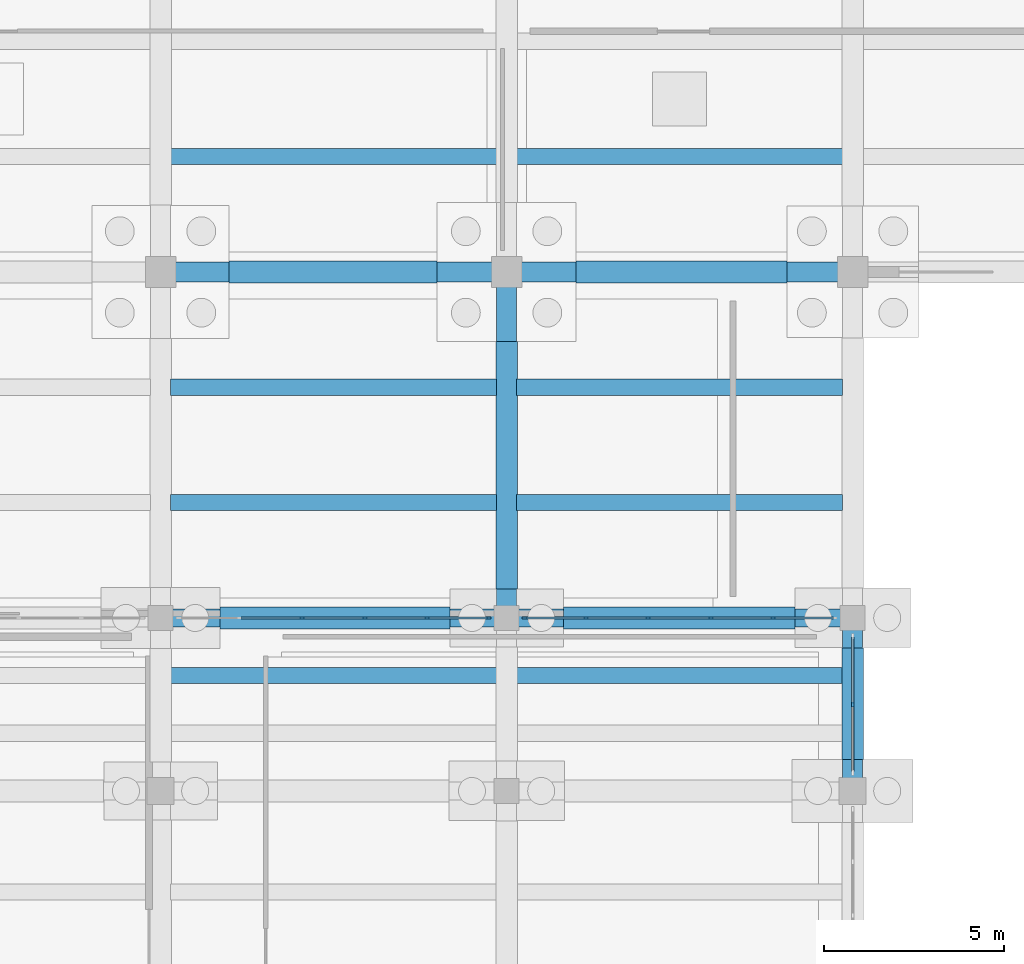
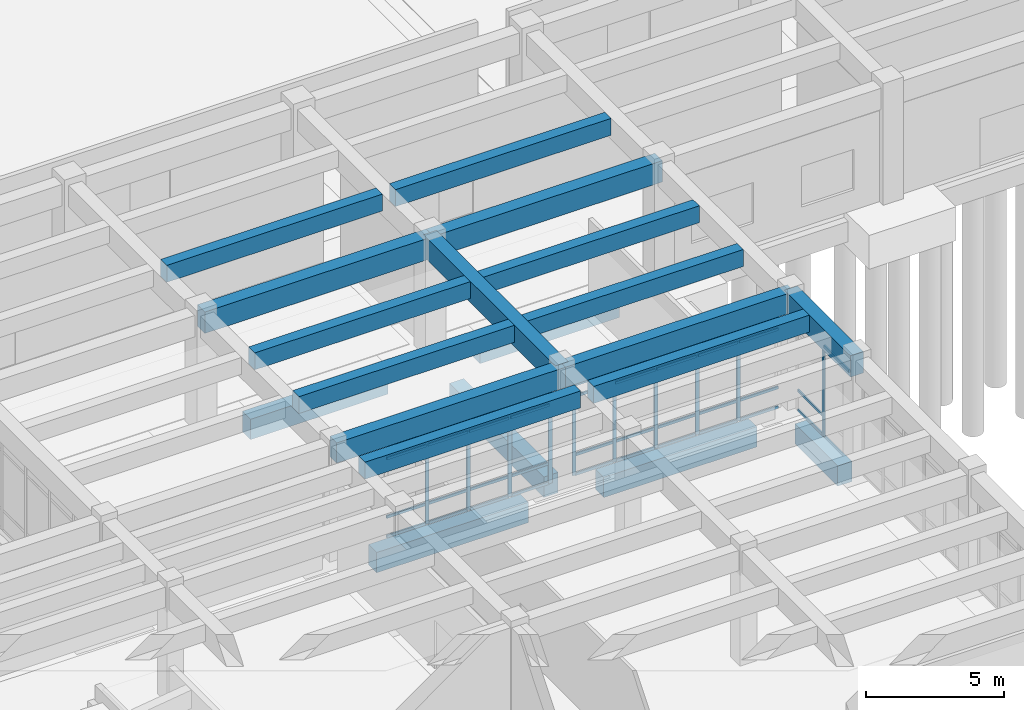
# One storey, part 32 of 102: 49 members, 20 beams, 3 elements without a shape of their own.
"""IFC4 building model written with IfcOpenShell, lengths in metres."""

from ifc_helpers import new_model, si_unit, direction, frame, origin, origin_2d, place, context, subcontext, project, spatial, rectangle, extrude, material, layer, layer_set, material_profile, profile_set, type_object, element, aggregate, save


model = new_model("IFC4")

# Units and contexts
model_context = context("Model", 3, precision=1e-05, world=origin(), true_north=direction((0.0, 1.0)))
body_context = subcontext(model_context, "Body", "Model", "MODEL_VIEW")
ifc_project = project(units=[si_unit("LENGTHUNIT", "METRE"), si_unit("AREAUNIT", "SQUARE_METRE"), si_unit("VOLUMEUNIT", "CUBIC_METRE"), si_unit("PLANEANGLEUNIT", "RADIAN"), si_unit("MASSUNIT", "GRAM", prefix="KILO")], contexts=[model_context])

# Site, building, storey
site_placement = place(None, origin())
site = spatial("IfcSite", under=ifc_project, at=site_placement, CompositionType="ELEMENT")
building_placement = place(site_placement, origin())
building = spatial("IfcBuilding", under=site, at=building_placement, Name="Kolvemor Railside Polytechnic", CompositionType="ELEMENT")
storey_placement = place(building_placement, origin())
storey = spatial("IfcBuildingStorey", under=building, at=storey_placement, Name="L00", CompositionType="ELEMENT", Elevation=0.0)

# Beams
ifc_material_1 = material(Name="Concrete C40/50", Category="concrete")
ifc_material_profile_1 = material_profile(ifc_material_1, rectangle(XDim=0.550048828125, YDim=0.949951171875, at=origin_2d()), Name="RC550x950")
ifc_profile_set_1 = profile_set([ifc_material_profile_1], Name="Concrete C40/50")
beam_type_1 = type_object("IfcBeamType", Name="BM-RC-GIRD", PredefinedType="BEAM", material=ifc_profile_set_1)
beam_1_placement = place(storey_placement, frame((48.0, 76.800048828125, 4.635009765625), z_axis=(0.0, 1.0, 0.0), x_axis=(-1.0, 0.0, 0.0)))
element("IfcBeam", 1, at=beam_1_placement, inside=storey, type_object=beam_type_1, Name="Primary Girder L01-GY 0104", PredefinedType="BEAM", context=body_context, shape_type="SweptSolid", body=[
    extrude(rectangle(XDim=0.550048828125, YDim=0.949951171875, at=origin_2d()), origin(), (0.0, 0.0, 1.0), 4.800048828125),
])
beam_2_placement = place(storey_placement, frame((28.800048828125, 91.199951171875, 4.635009765625), z_axis=(1.0, 0.0, 0.0), x_axis=(0.0, 1.0, 0.0)))
element("IfcBeam", 2, at=beam_2_placement, inside=storey, type_object=beam_type_1, Name="Primary Girder L01-GX 0492", PredefinedType="BEAM", context=body_context, shape_type="SweptSolid", body=[
    extrude(rectangle(XDim=0.550048828125, YDim=0.949951171875, at=origin_2d()), origin(), (0.0, 0.0, 1.0), 9.599853515625),
])
beam_3_placement = place(storey_placement, frame((38.39990234375, 91.199951171875, 4.635009765625), z_axis=(1.0, 0.0, 0.0), x_axis=(0.0, 1.0, 0.0)))
element("IfcBeam", 3, at=beam_3_placement, inside=storey, type_object=beam_type_1, Name="Primary Girder L01-GX 0493", PredefinedType="BEAM", context=body_context, shape_type="SweptSolid", body=[
    extrude(rectangle(XDim=0.550048828125, YDim=0.949951171875, at=origin_2d()), origin(), (0.0, 0.0, 1.0), 9.60009765625),
])
beam_4_placement = place(storey_placement, frame((38.39990234375, 81.60009765625, 4.635009765625), z_axis=(0.0, 1.0, 0.0), x_axis=(-1.0, 0.0, 0.0)))
element("IfcBeam", 4, at=beam_4_placement, inside=storey, type_object=beam_type_1, Name="Primary Girder L01-GY 1050", PredefinedType="BEAM", context=body_context, shape_type="SweptSolid", body=[
    extrude(rectangle(XDim=0.550048828125, YDim=0.949951171875, at=origin_2d()), origin(), (0.0, 0.0, 1.0), 9.599853515625),
])
ifc_material_2 = material(Name="Concrete C40/50", Category="concrete")
ifc_material_profile_2 = material_profile(ifc_material_2, rectangle(XDim=0.5, YDim=0.89990234375, at=origin_2d()), Name="RC500x900")
ifc_profile_set_2 = profile_set([ifc_material_profile_2], Name="Concrete C40/50")
beam_type_2 = type_object("IfcBeamType", Name="BM-RC-GIRD4", PredefinedType="BEAM", material=ifc_profile_set_2)
beam_5_placement = place(storey_placement, frame((28.800048828125, 81.60009765625, 4.659912109375), z_axis=(1.0, 0.0, 0.0), x_axis=(0.0, 1.0, 0.0)))
element("IfcBeam", 5, at=beam_5_placement, inside=storey, type_object=beam_type_2, Name="Primary Girder L01-GX 0049", PredefinedType="BEAM", context=body_context, shape_type="SweptSolid", body=[
    extrude(rectangle(XDim=0.5, YDim=0.89990234375, at=origin_2d()), origin(), (0.0, 0.0, 1.0), 9.599853515625),
])
beam_6_placement = place(storey_placement, frame((38.39990234375, 81.60009765625, 4.659912109375), z_axis=(1.0, 0.0, 0.0), x_axis=(0.0, 1.0, 0.0)))
element("IfcBeam", 6, at=beam_6_placement, inside=storey, type_object=beam_type_2, Name="Primary Girder L01-GX 0050", PredefinedType="BEAM", context=body_context, shape_type="SweptSolid", body=[
    extrude(rectangle(XDim=0.5, YDim=0.89990234375, at=origin_2d()), origin(), (0.0, 0.0, 1.0), 9.60009765625),
])
ifc_material_3 = material(Name="Concrete C40/50", Category="concrete")
ifc_material_profile_3 = material_profile(ifc_material_3, rectangle(XDim=0.449951171875, YDim=0.75, at=origin_2d()), Name="RC450x750")
ifc_profile_set_3 = profile_set([ifc_material_profile_3], Name="Concrete C40/50")
beam_type_3 = type_object("IfcBeamType", Name="BM-RC-SEC", PredefinedType="JOIST", material=ifc_profile_set_3)
for number, where, z_axis, x_axis, name in (
    (7, (29.074951171875, 80.0, 4.735107421875), (1.0, 0.0, 0.0), (0.0, 1.0, 0.0), "Floor Joist L01-J0172"),
    (8, (38.675048828125, 80.0, 4.735107421875), (1.0, 0.0, 0.0), (0.0, 1.0, 0.0), "Floor Joist L01-J0190"),
    (9, (29.074951171875, 94.39990234375, 4.735107421875), (1.0, 0.0, 0.0), (0.0, 1.0, 0.0), "Floor Joist L01-J0536"),
    (10, (38.675048828125, 94.39990234375, 4.735107421875), (1.0, 0.0, 0.0), (0.0, 1.0, 0.0), "Floor Joist L01-J0538"),
    (11, (29.074951171875, 84.800048828125, 4.735107421875), (1.0, 0.0, 0.0), (0.0, 1.0, 0.0), "Floor Joist L01-J1054"),
    (12, (29.074951171875, 88.0, 4.735107421875), (1.0, 0.0, 0.0), (0.0, 1.0, 0.0), "Floor Joist L01-J1055"),
    (13, (38.675048828125, 84.800048828125, 4.735107421875), (1.0, 0.0, 0.0), (0.0, 1.0, 0.0), "Floor Joist L01-J1056"),
    (14, (38.675048828125, 88.0, 4.735107421875), (1.0, 0.0, 0.0), (0.0, 1.0, 0.0), "Floor Joist L01-J1057"),
):
    element("IfcBeam", number, at=place(storey_placement, frame(where, z_axis=z_axis, x_axis=x_axis)), inside=storey, type_object=beam_type_3, Name=name, PredefinedType="JOIST", context=body_context, shape_type="SweptSolid", body=[
        extrude(rectangle(XDim=0.449951171875, YDim=0.75, at=origin_2d()), origin(), (0.0, 0.0, 1.0), 9.050048828125),
    ])
ifc_material_4 = material(Name="Concrete C40/50", Category="concrete")
ifc_material_profile_4 = material_profile(ifc_material_4, rectangle(XDim=0.60009765625, YDim=0.89990234375, at=origin_2d()), Name="RC600x900")
ifc_profile_set_4 = profile_set([ifc_material_profile_4], Name="Concrete C40/50")
beam_type_4 = type_object("IfcBeamType", Name="BM-RC-TIE", PredefinedType="BEAM", material=ifc_profile_set_4)
beam_7_placement = place(storey_placement, frame((30.451904296875, 81.60009765625, -0.75), z_axis=(1.0, 0.0, 0.0), x_axis=(0.0, 1.0, 0.0)))
element("IfcBeam", 15, at=beam_7_placement, inside=storey, type_object=beam_type_4, Name="Ground Tie Beam GTB-X178", PredefinedType="BEAM", context=body_context, shape_type="SweptSolid", body=[
    extrude(rectangle(XDim=0.60009765625, YDim=0.89990234375, at=origin_2d()), origin(), (0.0, 0.0, 1.0), 6.37109375),
])
beam_8_placement = place(storey_placement, frame((39.97705078125, 81.60009765625, -0.75), z_axis=(1.0, 0.0, 0.0), x_axis=(0.0, 1.0, 0.0)))
element("IfcBeam", 16, at=beam_8_placement, inside=storey, type_object=beam_type_4, Name="Ground Tie Beam GTB-X179", PredefinedType="BEAM", context=body_context, shape_type="SweptSolid", body=[
    extrude(rectangle(XDim=0.60009765625, YDim=0.89990234375, at=origin_2d()), origin(), (0.0, 0.0, 1.0), 6.4208984375),
])
beam_9_placement = place(storey_placement, frame((30.701904296875, 91.199951171875, -0.75), z_axis=(1.0, 0.0, 0.0), x_axis=(0.0, 1.0, 0.0)))
element("IfcBeam", 17, at=beam_9_placement, inside=storey, type_object=beam_type_4, Name="Ground Tie Beam GTB-X186", PredefinedType="BEAM", context=body_context, shape_type="SweptSolid", body=[
    extrude(rectangle(XDim=0.60009765625, YDim=0.89990234375, at=origin_2d()), origin(), (0.0, 0.0, 1.0), 5.77099609375),
])
beam_10_placement = place(storey_placement, frame((40.326904296875, 91.199951171875, -0.75), z_axis=(1.0, 0.0, 0.0), x_axis=(0.0, 1.0, 0.0)))
element("IfcBeam", 18, at=beam_10_placement, inside=storey, type_object=beam_type_4, Name="Ground Tie Beam GTB-X187", PredefinedType="BEAM", context=body_context, shape_type="SweptSolid", body=[
    extrude(rectangle(XDim=0.60009765625, YDim=0.89990234375, at=origin_2d()), origin(), (0.0, 0.0, 1.0), 5.84619140625),
])
beam_11_placement = place(storey_placement, frame((38.39990234375, 82.402099609375, -0.75), z_axis=(0.0, 1.0, 0.0), x_axis=(-1.0, 0.0, 0.0)))
element("IfcBeam", 19, at=beam_11_placement, inside=storey, type_object=beam_type_4, Name="Ground Tie Beam GTB-Y284", PredefinedType="BEAM", context=body_context, shape_type="SweptSolid", body=[
    extrude(rectangle(XDim=0.60009765625, YDim=0.89990234375, at=origin_2d()), origin(), (0.0, 0.0, 1.0), 6.870849609375),
])
beam_12_placement = place(storey_placement, frame((48.0, 77.677001953125, -0.75), z_axis=(0.0, 1.0, 0.0), x_axis=(-1.0, 0.0, 0.0)))
element("IfcBeam", 20, at=beam_12_placement, inside=storey, type_object=beam_type_4, Name="Ground Tie Beam GTB-Y296", PredefinedType="BEAM", context=body_context, shape_type="SweptSolid", body=[
    extrude(rectangle(XDim=0.60009765625, YDim=0.89990234375, at=origin_2d()), origin(), (0.0, 0.0, 1.0), 3.095947265625),
])

# Curtain wall, members
ifc_material_5 = material(Name="Anodised marine aluminium and laminated low-E glass", Category="aluminium")
ifc_layer = layer(ifc_material_5, 0.179931640625, Name="CW-UNIT-STD")
ifc_layer_set = layer_set([ifc_layer], Name="Anodised marine aluminium and laminated low-E glass")
curtain_wall_type = type_object("IfcCurtainWallType", Name="CW-UNIT-STD", PredefinedType="USERDEFINED", material=ifc_layer_set)
curtain_wall_1_placement = place(storey_placement, origin())
curtain_wall_1 = element("IfcCurtainWall", 21, at=curtain_wall_1_placement, inside=storey, type_object=curtain_wall_type, Name="Curtain Wall L00-029", ObjectType="UNITISED CURTAIN WALL", PredefinedType="USERDEFINED")
ifc_material_6 = material(Name="Anodised marine aluminium 6063-T6", Category="aluminium")
ifc_material_profile_5 = material_profile(ifc_material_6, rectangle(XDim=0.06494140625, YDim=0.14990234375, at=origin_2d()), Name="CW-MUL-65x150")
ifc_profile_set_5 = profile_set([ifc_material_profile_5], Name="Anodised marine aluminium 6063-T6")
member_type_1 = type_object("IfcMemberType", Name="CWM-65x150", PredefinedType="MULLION", material=ifc_profile_set_5)
member_1_placement = place(storey_placement, frame((37.8974609375, 81.60009765625, 0.0), z_axis=(0.0, 0.0, 1.0), x_axis=(0.0, -1.0, 0.0)))
member_1 = element("IfcMember", 22, at=member_1_placement, type_object=member_type_1, Name="CW-STD mullion 1", PredefinedType="MULLION", context=body_context, shape_type="SweptSolid", body=[
    extrude(rectangle(XDim=0.06494140625, YDim=0.14990234375, at=origin_2d()), origin(), (0.0, 0.0, 1.0), 4.0400390625),
])
member_2_placement = place(storey_placement, frame((36.197998046875, 81.60009765625, 0.0), z_axis=(0.0, 0.0, 1.0), x_axis=(0.0, -1.0, 0.0)))
member_2 = element("IfcMember", 23, at=member_2_placement, type_object=member_type_1, Name="CW-STD mullion 2", PredefinedType="MULLION", context=body_context, shape_type="SweptSolid", body=[
    extrude(rectangle(XDim=0.06494140625, YDim=0.14990234375, at=origin_2d()), origin(), (0.0, 0.0, 1.0), 4.0400390625),
])
member_3_placement = place(storey_placement, frame((34.466064453125, 81.60009765625, 0.0), z_axis=(0.0, 0.0, 1.0), x_axis=(0.0, -1.0, 0.0)))
member_3 = element("IfcMember", 24, at=member_3_placement, type_object=member_type_1, Name="CW-STD mullion 3", PredefinedType="MULLION", context=body_context, shape_type="SweptSolid", body=[
    extrude(rectangle(XDim=0.06494140625, YDim=0.14990234375, at=origin_2d()), origin(), (0.0, 0.0, 1.0), 4.0400390625),
])
member_4_placement = place(storey_placement, frame((32.73388671875, 81.60009765625, 0.0), z_axis=(0.0, 0.0, 1.0), x_axis=(0.0, -1.0, 0.0)))
member_4 = element("IfcMember", 25, at=member_4_placement, type_object=member_type_1, Name="CW-STD mullion 4", PredefinedType="MULLION", context=body_context, shape_type="SweptSolid", body=[
    extrude(rectangle(XDim=0.06494140625, YDim=0.14990234375, at=origin_2d()), origin(), (0.0, 0.0, 1.0), 4.0400390625),
])

curtain_wall_2_placement = place(storey_placement, origin())
curtain_wall_2 = element("IfcCurtainWall", 26, at=curtain_wall_2_placement, inside=storey, type_object=curtain_wall_type, Name="Curtain Wall L00-030", ObjectType="UNITISED CURTAIN WALL", PredefinedType="USERDEFINED")
member_5_placement = place(storey_placement, frame((45.798095703125, 81.60009765625, 0.0), z_axis=(0.0, 0.0, 1.0), x_axis=(0.0, -1.0, 0.0)))
member_5 = element("IfcMember", 27, at=member_5_placement, type_object=member_type_1, Name="CW-STD mullion 2", PredefinedType="MULLION", context=body_context, shape_type="SweptSolid", body=[
    extrude(rectangle(XDim=0.06494140625, YDim=0.14990234375, at=origin_2d()), origin(), (0.0, 0.0, 1.0), 4.0400390625),
])
member_6_placement = place(storey_placement, frame((44.06591796875, 81.60009765625, 0.0), z_axis=(0.0, 0.0, 1.0), x_axis=(0.0, -1.0, 0.0)))
member_6 = element("IfcMember", 28, at=member_6_placement, type_object=member_type_1, Name="CW-STD mullion 3", PredefinedType="MULLION", context=body_context, shape_type="SweptSolid", body=[
    extrude(rectangle(XDim=0.06494140625, YDim=0.14990234375, at=origin_2d()), origin(), (0.0, 0.0, 1.0), 4.0400390625),
])
member_7_placement = place(storey_placement, frame((42.333984375, 81.60009765625, 0.0), z_axis=(0.0, 0.0, 1.0), x_axis=(0.0, -1.0, 0.0)))
member_7 = element("IfcMember", 29, at=member_7_placement, type_object=member_type_1, Name="CW-STD mullion 4", PredefinedType="MULLION", context=body_context, shape_type="SweptSolid", body=[
    extrude(rectangle(XDim=0.06494140625, YDim=0.14990234375, at=origin_2d()), origin(), (0.0, 0.0, 1.0), 4.0400390625),
])
member_8_placement = place(storey_placement, frame((40.60205078125, 81.60009765625, 0.0), z_axis=(0.0, 0.0, 1.0), x_axis=(0.0, -1.0, 0.0)))
member_8 = element("IfcMember", 30, at=member_8_placement, type_object=member_type_1, Name="CW-STD mullion 5", PredefinedType="MULLION", context=body_context, shape_type="SweptSolid", body=[
    extrude(rectangle(XDim=0.06494140625, YDim=0.14990234375, at=origin_2d()), origin(), (0.0, 0.0, 1.0), 4.0400390625),
])
member_9_placement = place(storey_placement, frame((38.902587890625, 81.60009765625, 0.0), z_axis=(0.0, 0.0, 1.0), x_axis=(0.0, -1.0, 0.0)))
member_9 = element("IfcMember", 31, at=member_9_placement, type_object=member_type_1, Name="CW-STD mullion 6", PredefinedType="MULLION", context=body_context, shape_type="SweptSolid", body=[
    extrude(rectangle(XDim=0.06494140625, YDim=0.14990234375, at=origin_2d()), origin(), (0.0, 0.0, 1.0), 4.0400390625),
])

# Curtain wall, member
curtain_wall_3_placement = place(storey_placement, origin())
curtain_wall_3 = element("IfcCurtainWall", 32, at=curtain_wall_3_placement, inside=storey, type_object=curtain_wall_type, Name="Curtain Wall L00-089", ObjectType="UNITISED CURTAIN WALL", PredefinedType="USERDEFINED")
member_10_placement = place(storey_placement, frame((48.0, 79.199951171875, 0.0), z_axis=(0.0, 0.0, 1.0), x_axis=(-1.0, 0.0, 0.0)))
member_10 = element("IfcMember", 33, at=member_10_placement, type_object=member_type_1, Name="CW-STD mullion 2", PredefinedType="MULLION", context=body_context, shape_type="SweptSolid", body=[
    extrude(rectangle(XDim=0.06494140625, YDim=0.14990234375, at=origin_2d()), origin(), (0.0, 0.0, 1.0), 4.0400390625),
])

# Member
ifc_material_7 = material(Name="Anodised marine aluminium 6063-T6", Category="aluminium")
ifc_material_profile_6 = material_profile(ifc_material_7, rectangle(XDim=0.06494140625, YDim=0.1201171875, at=origin_2d()), Name="CW-TRN-65x120")
ifc_profile_set_6 = profile_set([ifc_material_profile_6], Name="Anodised marine aluminium 6063-T6")
member_type_2 = type_object("IfcMemberType", Name="CWT-65x120", PredefinedType="USERDEFINED", material=ifc_profile_set_6)
member_11_placement = place(storey_placement, frame((37.864990234375, 81.60009765625, 0.032470703125), z_axis=(-1.0, 0.0, 0.0), x_axis=(0.0, -1.0, 0.0)))
member_11 = element("IfcMember", 34, at=member_11_placement, type_object=member_type_2, Name="CW-STD transom 1.1", ObjectType="TRANSOM", PredefinedType="USERDEFINED", context=body_context, shape_type="SweptSolid", body=[
    extrude(rectangle(XDim=0.06494140625, YDim=0.1201171875, at=origin_2d()), origin(), (0.0, 0.0, 1.0), 1.634521484375),
])

member_12_placement = place(storey_placement, frame((37.864990234375, 81.60009765625, 0.89990234375), z_axis=(-1.0, 0.0, 0.0), x_axis=(0.0, -1.0, 0.0)))
member_12 = element("IfcMember", 35, at=member_12_placement, type_object=member_type_2, Name="CW-STD transom 1.2", ObjectType="TRANSOM", PredefinedType="USERDEFINED", context=body_context, shape_type="SweptSolid", body=[
    extrude(rectangle(XDim=0.06494140625, YDim=0.1201171875, at=origin_2d()), origin(), (0.0, 0.0, 1.0), 1.634521484375),
])

member_13_placement = place(storey_placement, frame((37.864990234375, 81.60009765625, 3.489990234375), z_axis=(-1.0, 0.0, 0.0), x_axis=(0.0, -1.0, 0.0)))
member_13 = element("IfcMember", 36, at=member_13_placement, type_object=member_type_2, Name="CW-STD transom 1.3", ObjectType="TRANSOM", PredefinedType="USERDEFINED", context=body_context, shape_type="SweptSolid", body=[
    extrude(rectangle(XDim=0.06494140625, YDim=0.1201171875, at=origin_2d()), origin(), (0.0, 0.0, 1.0), 1.634521484375),
])

member_14_placement = place(storey_placement, frame((37.864990234375, 81.60009765625, 4.007568359375), z_axis=(-1.0, 0.0, 0.0), x_axis=(0.0, -1.0, 0.0)))
member_14 = element("IfcMember", 37, at=member_14_placement, type_object=member_type_2, Name="CW-STD transom 1.4", ObjectType="TRANSOM", PredefinedType="USERDEFINED", context=body_context, shape_type="SweptSolid", body=[
    extrude(rectangle(XDim=0.06494140625, YDim=0.1201171875, at=origin_2d()), origin(), (0.0, 0.0, 1.0), 1.634521484375),
])

member_15_placement = place(storey_placement, frame((36.16552734375, 81.60009765625, 0.032470703125), z_axis=(-1.0, 0.0, 0.0), x_axis=(0.0, -1.0, 0.0)))
member_15 = element("IfcMember", 38, at=member_15_placement, type_object=member_type_2, Name="CW-STD transom 2.1", ObjectType="TRANSOM", PredefinedType="USERDEFINED", context=body_context, shape_type="SweptSolid", body=[
    extrude(rectangle(XDim=0.06494140625, YDim=0.1201171875, at=origin_2d()), origin(), (0.0, 0.0, 1.0), 1.6669921875),
])

member_16_placement = place(storey_placement, frame((36.16552734375, 81.60009765625, 0.89990234375), z_axis=(-1.0, 0.0, 0.0), x_axis=(0.0, -1.0, 0.0)))
member_16 = element("IfcMember", 39, at=member_16_placement, type_object=member_type_2, Name="CW-STD transom 2.2", ObjectType="TRANSOM", PredefinedType="USERDEFINED", context=body_context, shape_type="SweptSolid", body=[
    extrude(rectangle(XDim=0.06494140625, YDim=0.1201171875, at=origin_2d()), origin(), (0.0, 0.0, 1.0), 1.6669921875),
])

member_17_placement = place(storey_placement, frame((36.16552734375, 81.60009765625, 3.489990234375), z_axis=(-1.0, 0.0, 0.0), x_axis=(0.0, -1.0, 0.0)))
member_17 = element("IfcMember", 40, at=member_17_placement, type_object=member_type_2, Name="CW-STD transom 2.3", ObjectType="TRANSOM", PredefinedType="USERDEFINED", context=body_context, shape_type="SweptSolid", body=[
    extrude(rectangle(XDim=0.06494140625, YDim=0.1201171875, at=origin_2d()), origin(), (0.0, 0.0, 1.0), 1.6669921875),
])

member_18_placement = place(storey_placement, frame((36.16552734375, 81.60009765625, 4.007568359375), z_axis=(-1.0, 0.0, 0.0), x_axis=(0.0, -1.0, 0.0)))
member_18 = element("IfcMember", 41, at=member_18_placement, type_object=member_type_2, Name="CW-STD transom 2.4", ObjectType="TRANSOM", PredefinedType="USERDEFINED", context=body_context, shape_type="SweptSolid", body=[
    extrude(rectangle(XDim=0.06494140625, YDim=0.1201171875, at=origin_2d()), origin(), (0.0, 0.0, 1.0), 1.6669921875),
])

member_19_placement = place(storey_placement, frame((34.43359375, 81.60009765625, 0.032470703125), z_axis=(-1.0, 0.0, 0.0), x_axis=(0.0, -1.0, 0.0)))
member_19 = element("IfcMember", 42, at=member_19_placement, type_object=member_type_2, Name="CW-STD transom 3.1", ObjectType="TRANSOM", PredefinedType="USERDEFINED", context=body_context, shape_type="SweptSolid", body=[
    extrude(rectangle(XDim=0.06494140625, YDim=0.1201171875, at=origin_2d()), origin(), (0.0, 0.0, 1.0), 1.6669921875),
])

member_20_placement = place(storey_placement, frame((34.43359375, 81.60009765625, 0.89990234375), z_axis=(-1.0, 0.0, 0.0), x_axis=(0.0, -1.0, 0.0)))
member_20 = element("IfcMember", 43, at=member_20_placement, type_object=member_type_2, Name="CW-STD transom 3.2", ObjectType="TRANSOM", PredefinedType="USERDEFINED", context=body_context, shape_type="SweptSolid", body=[
    extrude(rectangle(XDim=0.06494140625, YDim=0.1201171875, at=origin_2d()), origin(), (0.0, 0.0, 1.0), 1.6669921875),
])

member_21_placement = place(storey_placement, frame((34.43359375, 81.60009765625, 3.489990234375), z_axis=(-1.0, 0.0, 0.0), x_axis=(0.0, -1.0, 0.0)))
member_21 = element("IfcMember", 44, at=member_21_placement, type_object=member_type_2, Name="CW-STD transom 3.3", ObjectType="TRANSOM", PredefinedType="USERDEFINED", context=body_context, shape_type="SweptSolid", body=[
    extrude(rectangle(XDim=0.06494140625, YDim=0.1201171875, at=origin_2d()), origin(), (0.0, 0.0, 1.0), 1.6669921875),
])

member_22_placement = place(storey_placement, frame((34.43359375, 81.60009765625, 4.007568359375), z_axis=(-1.0, 0.0, 0.0), x_axis=(0.0, -1.0, 0.0)))
member_22 = element("IfcMember", 45, at=member_22_placement, type_object=member_type_2, Name="CW-STD transom 3.4", ObjectType="TRANSOM", PredefinedType="USERDEFINED", context=body_context, shape_type="SweptSolid", body=[
    extrude(rectangle(XDim=0.06494140625, YDim=0.1201171875, at=origin_2d()), origin(), (0.0, 0.0, 1.0), 1.6669921875),
])

member_23_placement = place(storey_placement, frame((32.701416015625, 81.60009765625, 0.032470703125), z_axis=(-1.0, 0.0, 0.0), x_axis=(0.0, -1.0, 0.0)))
member_23 = element("IfcMember", 46, at=member_23_placement, type_object=member_type_2, Name="CW-STD transom 4.1", ObjectType="TRANSOM", PredefinedType="USERDEFINED", context=body_context, shape_type="SweptSolid", body=[
    extrude(rectangle(XDim=0.06494140625, YDim=0.1201171875, at=origin_2d()), origin(), (0.0, 0.0, 1.0), 1.6669921875),
])

member_24_placement = place(storey_placement, frame((32.701416015625, 81.60009765625, 0.89990234375), z_axis=(-1.0, 0.0, 0.0), x_axis=(0.0, -1.0, 0.0)))
member_24 = element("IfcMember", 47, at=member_24_placement, type_object=member_type_2, Name="CW-STD transom 4.2", ObjectType="TRANSOM", PredefinedType="USERDEFINED", context=body_context, shape_type="SweptSolid", body=[
    extrude(rectangle(XDim=0.06494140625, YDim=0.1201171875, at=origin_2d()), origin(), (0.0, 0.0, 1.0), 1.6669921875),
])

member_25_placement = place(storey_placement, frame((32.701416015625, 81.60009765625, 3.489990234375), z_axis=(-1.0, 0.0, 0.0), x_axis=(0.0, -1.0, 0.0)))
member_25 = element("IfcMember", 48, at=member_25_placement, type_object=member_type_2, Name="CW-STD transom 4.3", ObjectType="TRANSOM", PredefinedType="USERDEFINED", context=body_context, shape_type="SweptSolid", body=[
    extrude(rectangle(XDim=0.06494140625, YDim=0.1201171875, at=origin_2d()), origin(), (0.0, 0.0, 1.0), 1.6669921875),
])

member_26_placement = place(storey_placement, frame((32.701416015625, 81.60009765625, 4.007568359375), z_axis=(-1.0, 0.0, 0.0), x_axis=(0.0, -1.0, 0.0)))
member_26 = element("IfcMember", 49, at=member_26_placement, type_object=member_type_2, Name="CW-STD transom 4.4", ObjectType="TRANSOM", PredefinedType="USERDEFINED", context=body_context, shape_type="SweptSolid", body=[
    extrude(rectangle(XDim=0.06494140625, YDim=0.1201171875, at=origin_2d()), origin(), (0.0, 0.0, 1.0), 1.6669921875),
])

aggregate(curtain_wall_1, [member_1, member_2, member_3, member_4, member_11, member_12, member_13, member_14, member_15, member_16, member_17, member_18, member_19, member_20, member_21, member_22, member_23, member_24, member_25, member_26])

member_27_placement = place(storey_placement, frame((47.465087890625, 81.60009765625, 0.032470703125), z_axis=(-1.0, 0.0, 0.0), x_axis=(0.0, -1.0, 0.0)))
member_27 = element("IfcMember", 50, at=member_27_placement, type_object=member_type_2, Name="CW-STD transom 1.1", ObjectType="TRANSOM", PredefinedType="USERDEFINED", context=body_context, shape_type="SweptSolid", body=[
    extrude(rectangle(XDim=0.06494140625, YDim=0.1201171875, at=origin_2d()), origin(), (0.0, 0.0, 1.0), 1.634521484375),
])

member_28_placement = place(storey_placement, frame((47.465087890625, 81.60009765625, 0.89990234375), z_axis=(-1.0, 0.0, 0.0), x_axis=(0.0, -1.0, 0.0)))
member_28 = element("IfcMember", 51, at=member_28_placement, type_object=member_type_2, Name="CW-STD transom 1.2", ObjectType="TRANSOM", PredefinedType="USERDEFINED", context=body_context, shape_type="SweptSolid", body=[
    extrude(rectangle(XDim=0.06494140625, YDim=0.1201171875, at=origin_2d()), origin(), (0.0, 0.0, 1.0), 1.634521484375),
])

member_29_placement = place(storey_placement, frame((47.465087890625, 81.60009765625, 3.489990234375), z_axis=(-1.0, 0.0, 0.0), x_axis=(0.0, -1.0, 0.0)))
member_29 = element("IfcMember", 52, at=member_29_placement, type_object=member_type_2, Name="CW-STD transom 1.3", ObjectType="TRANSOM", PredefinedType="USERDEFINED", context=body_context, shape_type="SweptSolid", body=[
    extrude(rectangle(XDim=0.06494140625, YDim=0.1201171875, at=origin_2d()), origin(), (0.0, 0.0, 1.0), 1.634521484375),
])

member_30_placement = place(storey_placement, frame((47.465087890625, 81.60009765625, 4.007568359375), z_axis=(-1.0, 0.0, 0.0), x_axis=(0.0, -1.0, 0.0)))
member_30 = element("IfcMember", 53, at=member_30_placement, type_object=member_type_2, Name="CW-STD transom 1.4", ObjectType="TRANSOM", PredefinedType="USERDEFINED", context=body_context, shape_type="SweptSolid", body=[
    extrude(rectangle(XDim=0.06494140625, YDim=0.1201171875, at=origin_2d()), origin(), (0.0, 0.0, 1.0), 1.634521484375),
])

member_31_placement = place(storey_placement, frame((45.765380859375, 81.60009765625, 0.032470703125), z_axis=(-1.0, 0.0, 0.0), x_axis=(0.0, -1.0, 0.0)))
member_31 = element("IfcMember", 54, at=member_31_placement, type_object=member_type_2, Name="CW-STD transom 2.1", ObjectType="TRANSOM", PredefinedType="USERDEFINED", context=body_context, shape_type="SweptSolid", body=[
    extrude(rectangle(XDim=0.06494140625, YDim=0.1201171875, at=origin_2d()), origin(), (0.0, 0.0, 1.0), 1.6669921875),
])

member_32_placement = place(storey_placement, frame((45.765380859375, 81.60009765625, 0.89990234375), z_axis=(-1.0, 0.0, 0.0), x_axis=(0.0, -1.0, 0.0)))
member_32 = element("IfcMember", 55, at=member_32_placement, type_object=member_type_2, Name="CW-STD transom 2.2", ObjectType="TRANSOM", PredefinedType="USERDEFINED", context=body_context, shape_type="SweptSolid", body=[
    extrude(rectangle(XDim=0.06494140625, YDim=0.1201171875, at=origin_2d()), origin(), (0.0, 0.0, 1.0), 1.6669921875),
])

member_33_placement = place(storey_placement, frame((45.765380859375, 81.60009765625, 3.489990234375), z_axis=(-1.0, 0.0, 0.0), x_axis=(0.0, -1.0, 0.0)))
member_33 = element("IfcMember", 56, at=member_33_placement, type_object=member_type_2, Name="CW-STD transom 2.3", ObjectType="TRANSOM", PredefinedType="USERDEFINED", context=body_context, shape_type="SweptSolid", body=[
    extrude(rectangle(XDim=0.06494140625, YDim=0.1201171875, at=origin_2d()), origin(), (0.0, 0.0, 1.0), 1.6669921875),
])

member_34_placement = place(storey_placement, frame((45.765380859375, 81.60009765625, 4.007568359375), z_axis=(-1.0, 0.0, 0.0), x_axis=(0.0, -1.0, 0.0)))
member_34 = element("IfcMember", 57, at=member_34_placement, type_object=member_type_2, Name="CW-STD transom 2.4", ObjectType="TRANSOM", PredefinedType="USERDEFINED", context=body_context, shape_type="SweptSolid", body=[
    extrude(rectangle(XDim=0.06494140625, YDim=0.1201171875, at=origin_2d()), origin(), (0.0, 0.0, 1.0), 1.6669921875),
])

member_35_placement = place(storey_placement, frame((44.033447265625, 81.60009765625, 0.032470703125), z_axis=(-1.0, 0.0, 0.0), x_axis=(0.0, -1.0, 0.0)))
member_35 = element("IfcMember", 58, at=member_35_placement, type_object=member_type_2, Name="CW-STD transom 3.1", ObjectType="TRANSOM", PredefinedType="USERDEFINED", context=body_context, shape_type="SweptSolid", body=[
    extrude(rectangle(XDim=0.06494140625, YDim=0.1201171875, at=origin_2d()), origin(), (0.0, 0.0, 1.0), 1.6669921875),
])

member_36_placement = place(storey_placement, frame((44.033447265625, 81.60009765625, 0.89990234375), z_axis=(-1.0, 0.0, 0.0), x_axis=(0.0, -1.0, 0.0)))
member_36 = element("IfcMember", 59, at=member_36_placement, type_object=member_type_2, Name="CW-STD transom 3.2", ObjectType="TRANSOM", PredefinedType="USERDEFINED", context=body_context, shape_type="SweptSolid", body=[
    extrude(rectangle(XDim=0.06494140625, YDim=0.1201171875, at=origin_2d()), origin(), (0.0, 0.0, 1.0), 1.6669921875),
])

member_37_placement = place(storey_placement, frame((44.033447265625, 81.60009765625, 3.489990234375), z_axis=(-1.0, 0.0, 0.0), x_axis=(0.0, -1.0, 0.0)))
member_37 = element("IfcMember", 60, at=member_37_placement, type_object=member_type_2, Name="CW-STD transom 3.3", ObjectType="TRANSOM", PredefinedType="USERDEFINED", context=body_context, shape_type="SweptSolid", body=[
    extrude(rectangle(XDim=0.06494140625, YDim=0.1201171875, at=origin_2d()), origin(), (0.0, 0.0, 1.0), 1.6669921875),
])

member_38_placement = place(storey_placement, frame((44.033447265625, 81.60009765625, 4.007568359375), z_axis=(-1.0, 0.0, 0.0), x_axis=(0.0, -1.0, 0.0)))
member_38 = element("IfcMember", 61, at=member_38_placement, type_object=member_type_2, Name="CW-STD transom 3.4", ObjectType="TRANSOM", PredefinedType="USERDEFINED", context=body_context, shape_type="SweptSolid", body=[
    extrude(rectangle(XDim=0.06494140625, YDim=0.1201171875, at=origin_2d()), origin(), (0.0, 0.0, 1.0), 1.6669921875),
])

member_39_placement = place(storey_placement, frame((42.301513671875, 81.60009765625, 0.032470703125), z_axis=(-1.0, 0.0, 0.0), x_axis=(0.0, -1.0, 0.0)))
member_39 = element("IfcMember", 62, at=member_39_placement, type_object=member_type_2, Name="CW-STD transom 4.1", ObjectType="TRANSOM", PredefinedType="USERDEFINED", context=body_context, shape_type="SweptSolid", body=[
    extrude(rectangle(XDim=0.06494140625, YDim=0.1201171875, at=origin_2d()), origin(), (0.0, 0.0, 1.0), 1.6669921875),
])

member_40_placement = place(storey_placement, frame((42.301513671875, 81.60009765625, 0.89990234375), z_axis=(-1.0, 0.0, 0.0), x_axis=(0.0, -1.0, 0.0)))
member_40 = element("IfcMember", 63, at=member_40_placement, type_object=member_type_2, Name="CW-STD transom 4.2", ObjectType="TRANSOM", PredefinedType="USERDEFINED", context=body_context, shape_type="SweptSolid", body=[
    extrude(rectangle(XDim=0.06494140625, YDim=0.1201171875, at=origin_2d()), origin(), (0.0, 0.0, 1.0), 1.6669921875),
])

member_41_placement = place(storey_placement, frame((42.301513671875, 81.60009765625, 3.489990234375), z_axis=(-1.0, 0.0, 0.0), x_axis=(0.0, -1.0, 0.0)))
member_41 = element("IfcMember", 64, at=member_41_placement, type_object=member_type_2, Name="CW-STD transom 4.3", ObjectType="TRANSOM", PredefinedType="USERDEFINED", context=body_context, shape_type="SweptSolid", body=[
    extrude(rectangle(XDim=0.06494140625, YDim=0.1201171875, at=origin_2d()), origin(), (0.0, 0.0, 1.0), 1.6669921875),
])

member_42_placement = place(storey_placement, frame((42.301513671875, 81.60009765625, 4.007568359375), z_axis=(-1.0, 0.0, 0.0), x_axis=(0.0, -1.0, 0.0)))
member_42 = element("IfcMember", 65, at=member_42_placement, type_object=member_type_2, Name="CW-STD transom 4.4", ObjectType="TRANSOM", PredefinedType="USERDEFINED", context=body_context, shape_type="SweptSolid", body=[
    extrude(rectangle(XDim=0.06494140625, YDim=0.1201171875, at=origin_2d()), origin(), (0.0, 0.0, 1.0), 1.6669921875),
])

member_43_placement = place(storey_placement, frame((40.569580078125, 81.60009765625, 0.032470703125), z_axis=(-1.0, 0.0, 0.0), x_axis=(0.0, -1.0, 0.0)))
member_43 = element("IfcMember", 66, at=member_43_placement, type_object=member_type_2, Name="CW-STD transom 5.1", ObjectType="TRANSOM", PredefinedType="USERDEFINED", context=body_context, shape_type="SweptSolid", body=[
    extrude(rectangle(XDim=0.06494140625, YDim=0.1201171875, at=origin_2d()), origin(), (0.0, 0.0, 1.0), 1.634521484375),
])

member_44_placement = place(storey_placement, frame((40.569580078125, 81.60009765625, 0.89990234375), z_axis=(-1.0, 0.0, 0.0), x_axis=(0.0, -1.0, 0.0)))
member_44 = element("IfcMember", 67, at=member_44_placement, type_object=member_type_2, Name="CW-STD transom 5.2", ObjectType="TRANSOM", PredefinedType="USERDEFINED", context=body_context, shape_type="SweptSolid", body=[
    extrude(rectangle(XDim=0.06494140625, YDim=0.1201171875, at=origin_2d()), origin(), (0.0, 0.0, 1.0), 1.634521484375),
])

member_45_placement = place(storey_placement, frame((40.569580078125, 81.60009765625, 3.489990234375), z_axis=(-1.0, 0.0, 0.0), x_axis=(0.0, -1.0, 0.0)))
member_45 = element("IfcMember", 68, at=member_45_placement, type_object=member_type_2, Name="CW-STD transom 5.3", ObjectType="TRANSOM", PredefinedType="USERDEFINED", context=body_context, shape_type="SweptSolid", body=[
    extrude(rectangle(XDim=0.06494140625, YDim=0.1201171875, at=origin_2d()), origin(), (0.0, 0.0, 1.0), 1.634521484375),
])

member_46_placement = place(storey_placement, frame((40.569580078125, 81.60009765625, 4.007568359375), z_axis=(-1.0, 0.0, 0.0), x_axis=(0.0, -1.0, 0.0)))
member_46 = element("IfcMember", 69, at=member_46_placement, type_object=member_type_2, Name="CW-STD transom 5.4", ObjectType="TRANSOM", PredefinedType="USERDEFINED", context=body_context, shape_type="SweptSolid", body=[
    extrude(rectangle(XDim=0.06494140625, YDim=0.1201171875, at=origin_2d()), origin(), (0.0, 0.0, 1.0), 1.634521484375),
])

aggregate(curtain_wall_2, [member_5, member_6, member_7, member_8, member_9, member_27, member_28, member_29, member_30, member_31, member_32, member_33, member_34, member_35, member_36, member_37, member_38, member_39, member_40, member_41, member_42, member_43, member_44, member_45, member_46])

member_47_placement = place(storey_placement, frame((48.0, 77.3349609375, 4.007568359375), z_axis=(0.0, 1.0, 0.0), x_axis=(-1.0, 0.0, 0.0)))
member_47 = element("IfcMember", 70, at=member_47_placement, type_object=member_type_2, Name="CW-STD transom 1.4", ObjectType="TRANSOM", PredefinedType="USERDEFINED", context=body_context, shape_type="SweptSolid", body=[
    extrude(rectangle(XDim=0.06494140625, YDim=0.1201171875, at=origin_2d()), origin(), (0.0, 0.0, 1.0), 1.83251953125),
])

member_48_placement = place(storey_placement, frame((48.0, 79.232421875, 0.032470703125), z_axis=(0.0, 1.0, 0.0), x_axis=(-1.0, 0.0, 0.0)))
member_48 = element("IfcMember", 71, at=member_48_placement, type_object=member_type_2, Name="CW-STD transom 2.1", ObjectType="TRANSOM", PredefinedType="USERDEFINED", context=body_context, shape_type="SweptSolid", body=[
    extrude(rectangle(XDim=0.06494140625, YDim=0.1201171875, at=origin_2d()), origin(), (0.0, 0.0, 1.0), 1.83251953125),
])

member_49_placement = place(storey_placement, frame((48.0, 79.232421875, 0.89990234375), z_axis=(0.0, 1.0, 0.0), x_axis=(-1.0, 0.0, 0.0)))
member_49 = element("IfcMember", 72, at=member_49_placement, type_object=member_type_2, Name="CW-STD transom 2.2", ObjectType="TRANSOM", PredefinedType="USERDEFINED", context=body_context, shape_type="SweptSolid", body=[
    extrude(rectangle(XDim=0.06494140625, YDim=0.1201171875, at=origin_2d()), origin(), (0.0, 0.0, 1.0), 1.83251953125),
])

aggregate(curtain_wall_3, [member_10, member_47, member_48, member_49])

save(model, "model.ifc")
